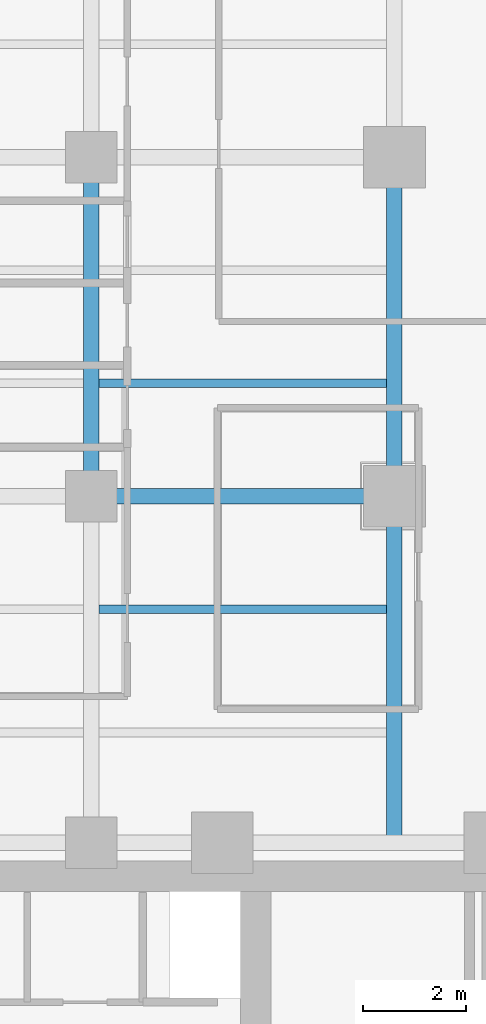
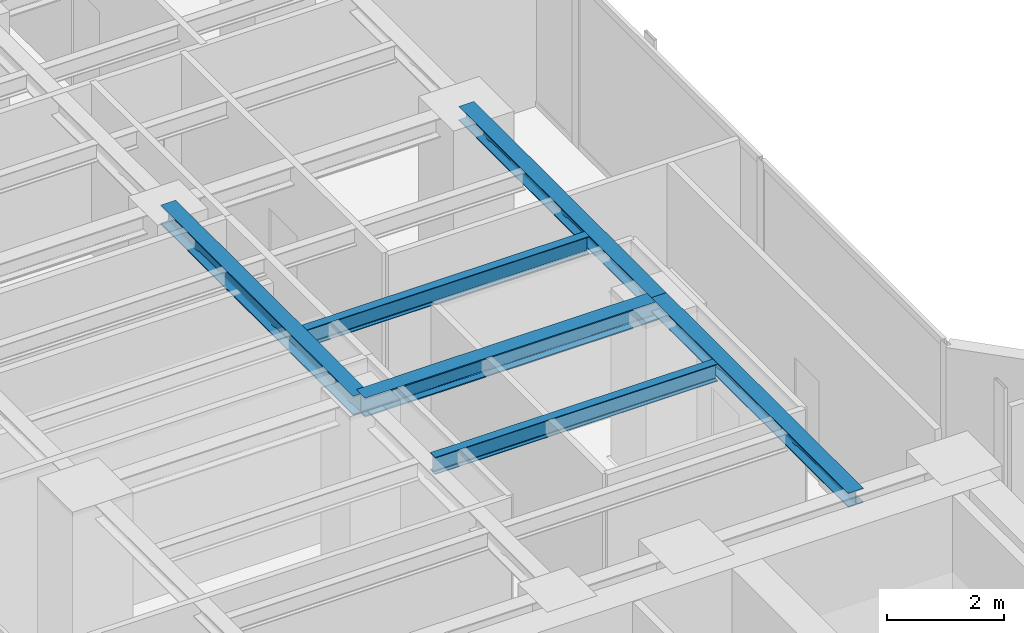
# One storey, part 9 of 27: 6 beams.
"""IFC4 building model written with IfcOpenShell, lengths in metres."""

from ifc_helpers import new_model, si_unit, direction, frame, origin, origin_2d, place, context, subcontext, project, spatial, i_section, extrude, material, material_profile, profile_set, type_object, element, save


model = new_model("IFC4")

# Units and contexts
model_context = context("Model", 3, precision=1e-05, world=origin(), true_north=direction((0.0, 1.0)))
body_context = subcontext(model_context, "Body", "Model", "MODEL_VIEW")
ifc_project = project(units=[si_unit("LENGTHUNIT", "METRE"), si_unit("AREAUNIT", "SQUARE_METRE"), si_unit("VOLUMEUNIT", "CUBIC_METRE"), si_unit("PLANEANGLEUNIT", "RADIAN"), si_unit("MASSUNIT", "GRAM", prefix="KILO")], contexts=[model_context])

# Site, building, storey
site_placement = place(None, origin())
site = spatial("IfcSite", under=ifc_project, at=site_placement, CompositionType="ELEMENT")
building_placement = place(site_placement, origin())
building = spatial("IfcBuilding", under=site, at=building_placement, Name="Kolvaren Waterfront Exchange", CompositionType="ELEMENT")
storey_placement = place(building_placement, frame((0.0, 0.0, 191.800048828125)))
storey = spatial("IfcBuildingStorey", under=building, at=storey_placement, Name="L49", CompositionType="ELEMENT", Elevation=191.800048828125)

# Beams
ifc_material = material(Name="Steel S355", Category="steel")
ifc_material_profile_1 = material_profile(ifc_material, i_section(OverallWidth=0.300048828125, OverallDepth=0.300048828125, WebThickness=0.010986328125, FlangeThickness=0.01904296875, FilletRadius=0.027099609375, at=origin_2d()), Name="HEB300")
ifc_profile_set_1 = profile_set([ifc_material_profile_1], Name="Steel S355")
beam_type_1 = type_object("IfcBeamType", Name="STR-BM-HEB300", PredefinedType="SPANDREL", material=ifc_profile_set_1)
beam_1_placement = place(storey_placement, frame((18.800048828125, 24.449951171875, 3.409912109375), z_axis=(0.0, 1.0, 0.0), x_axis=(-1.0, 0.0, 0.0)))
element("IfcBeam", 1, at=beam_1_placement, inside=storey, type_object=beam_type_1, Name="L49 north-arm edge beam 1", PredefinedType="SPANDREL", context=body_context, shape_type="SweptSolid", body=[
    extrude(i_section(OverallWidth=0.300048828125, OverallDepth=0.300048828125, WebThickness=0.010986328125, FlangeThickness=0.01904296875, FilletRadius=0.027099609375, at=origin_2d()), origin(), (0.0, 0.0, 1.0), 6.75),
])
beam_2_placement = place(storey_placement, frame((18.800048828125, 31.199951171875, 3.409912109375), z_axis=(0.0, 1.0, 0.0), x_axis=(-1.0, 0.0, 0.0)))
element("IfcBeam", 2, at=beam_2_placement, inside=storey, type_object=beam_type_1, Name="L49 north-arm edge beam 2", PredefinedType="SPANDREL", context=body_context, shape_type="SweptSolid", body=[
    extrude(i_section(OverallWidth=0.300048828125, OverallDepth=0.300048828125, WebThickness=0.010986328125, FlangeThickness=0.01904296875, FilletRadius=0.027099609375, at=origin_2d()), origin(), (0.0, 0.0, 1.0), 6.60009765625),
])
ifc_material_profile_2 = material_profile(ifc_material, i_section(OverallWidth=0.300048828125, OverallDepth=0.39990234375, WebThickness=0.013427734375, FlangeThickness=0.02392578125, FilletRadius=0.027099609375, at=origin_2d()), Name="HEB400")
ifc_profile_set_2 = profile_set([ifc_material_profile_2], Name="Steel S355")
beam_type_2 = type_object("IfcBeamType", Name="STR-BM-HEB400", PredefinedType="BEAM", material=ifc_profile_set_2)
beam_3_placement = place(storey_placement, frame((12.89990234375, 31.199951171875, 3.35986328125), z_axis=(1.0, 0.0, 0.0), x_axis=(0.0, 1.0, 0.0)))
element("IfcBeam", 3, at=beam_3_placement, inside=storey, type_object=beam_type_2, Name="L49 north-arm girder 2B", PredefinedType="BEAM", context=body_context, shape_type="SweptSolid", body=[
    extrude(i_section(OverallWidth=0.300048828125, OverallDepth=0.39990234375, WebThickness=0.013427734375, FlangeThickness=0.02392578125, FilletRadius=0.027099609375, at=origin_2d()), origin(), (0.0, 0.0, 1.0), 5.900146484375),
])
beam_4_placement = place(storey_placement, frame((12.89990234375, 31.199951171875, 3.35986328125), z_axis=(0.0, 1.0, 0.0), x_axis=(-1.0, 0.0, 0.0)))
element("IfcBeam", 4, at=beam_4_placement, inside=storey, type_object=beam_type_2, Name="L49 north-arm edge beam 2", PredefinedType="BEAM", context=body_context, shape_type="SweptSolid", body=[
    extrude(i_section(OverallWidth=0.300048828125, OverallDepth=0.39990234375, WebThickness=0.013427734375, FlangeThickness=0.02392578125, FilletRadius=0.027099609375, at=origin_2d()), origin(), (0.0, 0.0, 1.0), 6.60009765625),
])
ifc_material_profile_3 = material_profile(ifc_material, i_section(OverallWidth=0.169921875, OverallDepth=0.360107421875, WebThickness=0.008056640625, FlangeThickness=0.0126953125, FilletRadius=0.01806640625, at=origin_2d()), Name="IPE360")
ifc_profile_set_3 = profile_set([ifc_material_profile_3], Name="Steel S355")
beam_type_3 = type_object("IfcBeamType", Name="STR-BM-IPE360", PredefinedType="JOIST", material=ifc_profile_set_3)
for number, where, z_axis, x_axis, name in (
    (5, (13.052001953125, 29.0, 3.3798828125), (1.0, 0.0, 0.0), (0.0, 1.0, 0.0), "L49 north-arm composite joist 2B"),
    (6, (13.052001953125, 33.39990234375, 3.3798828125), (1.0, 0.0, 0.0), (0.0, 1.0, 0.0), "L49 north-arm composite joist 3B"),
):
    element("IfcBeam", number, at=place(storey_placement, frame(where, z_axis=z_axis, x_axis=x_axis)), inside=storey, type_object=beam_type_3, Name=name, PredefinedType="JOIST", context=body_context, shape_type="SweptSolid", body=[
        extrude(i_section(OverallWidth=0.169921875, OverallDepth=0.360107421875, WebThickness=0.008056640625, FlangeThickness=0.0126953125, FilletRadius=0.01806640625, at=origin_2d()), origin(), (0.0, 0.0, 1.0), 5.595947265625),
    ])

save(model, "model.ifc")
